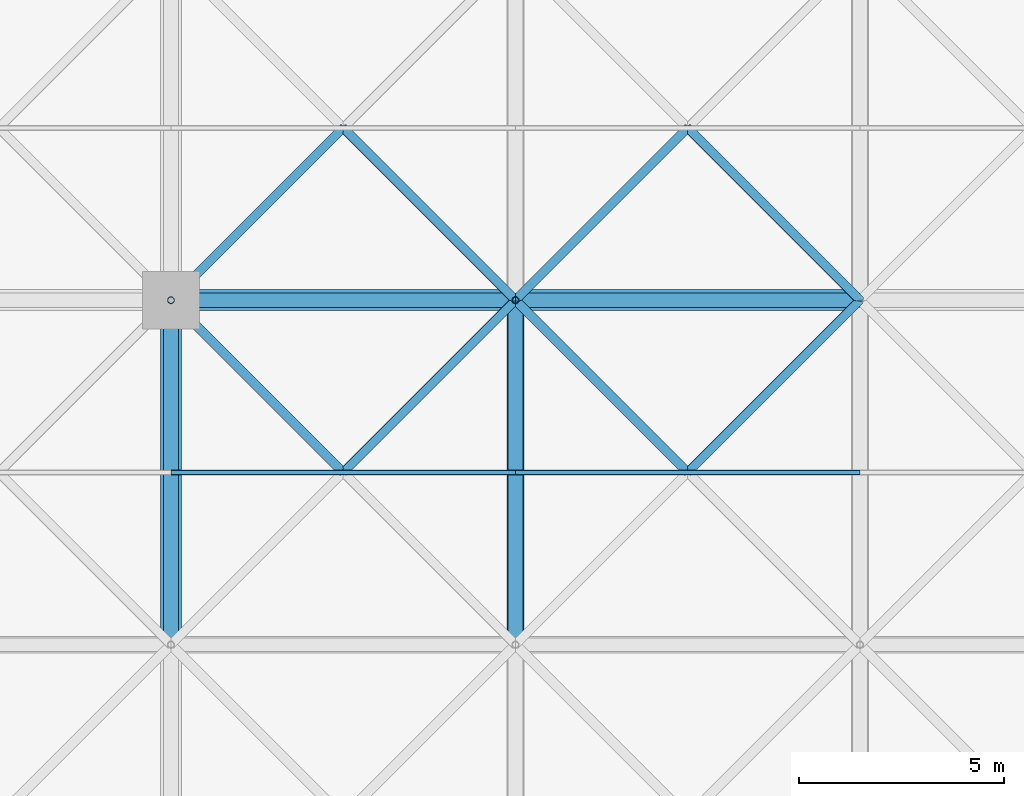
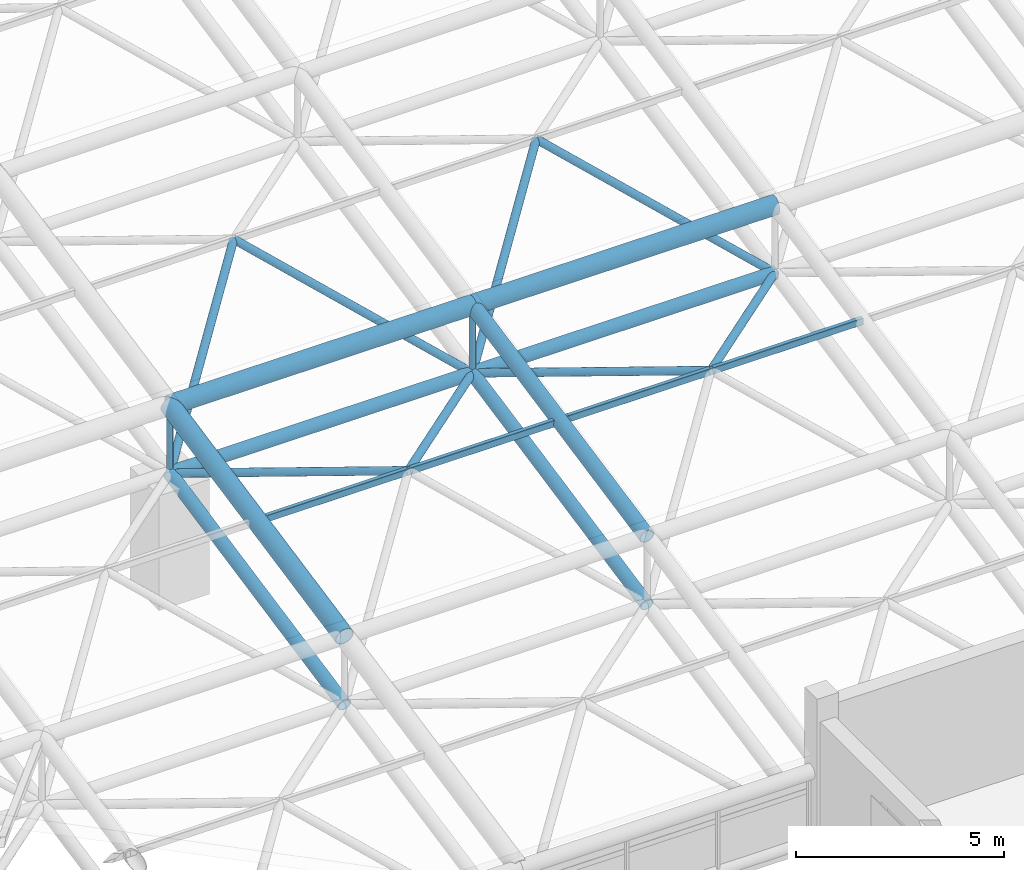
# One storey, part 8 of 81: 20 members.
"""IFC4 building model written with IfcOpenShell, lengths in metres."""

from ifc_helpers import new_model, si_unit, direction, frame, origin, origin_2d, place, context, subcontext, project, spatial, hollow_rectangle, hollow_circle, extrude, material, material_profile, profile_set, type_object, element, save


model = new_model("IFC4")

# Units and contexts
model_context = context("Model", 3, precision=1e-05, world=origin(), true_north=direction((0.0, 1.0)))
body_context = subcontext(model_context, "Body", "Model", "MODEL_VIEW")
ifc_project = project(units=[si_unit("LENGTHUNIT", "METRE"), si_unit("AREAUNIT", "SQUARE_METRE"), si_unit("VOLUMEUNIT", "CUBIC_METRE"), si_unit("PLANEANGLEUNIT", "RADIAN"), si_unit("MASSUNIT", "GRAM", prefix="KILO")], contexts=[model_context])

# Site, building, storey
site_placement = place(None, origin())
site = spatial("IfcSite", under=ifc_project, at=site_placement, CompositionType="ELEMENT")
building_placement = place(site_placement, origin())
building = spatial("IfcBuilding", under=site, at=building_placement, Name="Qawsi Khor Wholesale Market", CompositionType="ELEMENT")
storey_placement = place(building_placement, frame((0.0, 0.0, 16.199951171875)))
storey = spatial("IfcBuildingStorey", under=building, at=storey_placement, Name="L03", CompositionType="ELEMENT", Elevation=16.199951171875)

# Members
ifc_material = material(Name="Steel S355", Category="steel")
ifc_material_profile_1 = material_profile(ifc_material, hollow_circle(Radius=0.177734375, WallThickness=0.01611328125, at=origin_2d()), Name="CHS 355.6x16.0")
ifc_profile_set_1 = profile_set([ifc_material_profile_1], Name="Steel S355")
member_type_1 = type_object("IfcMemberType", Name="Space-Frame Bottom Chord CHS 355.6x16.0", PredefinedType="CHORD", material=ifc_profile_set_1)
member_1_placement = place(storey_placement, frame((16.800048828125, 50.39990234375, 1.670166015625), z_axis=(0.0, 0.98013111127, 0.198350711418), x_axis=(-1.0, 0.0, 0.0)))
element("IfcMember", 1, at=member_1_placement, inside=storey, type_object=member_type_1, Name="Space frame bottom chord Y WH (2,6)", PredefinedType="CHORD", context=body_context, shape_type="SweptSolid", body=[
    extrude(hollow_circle(Radius=0.177734375, WallThickness=0.01611328125, at=origin_2d()), origin(), (0.0, 0.0, 1.0), 8.5703125),
])
member_2_placement = place(storey_placement, frame((16.800048828125, 58.800048828125, 3.3701171875), z_axis=(1.0, 0.0, 0.0), x_axis=(0.0, 1.0, 0.0)))
element("IfcMember", 2, at=member_2_placement, inside=storey, type_object=member_type_1, Name="Space frame bottom chord X WH (2,7)", PredefinedType="CHORD", context=body_context, shape_type="SweptSolid", body=[
    extrude(hollow_circle(Radius=0.177734375, WallThickness=0.01611328125, at=origin_2d()), origin(), (0.0, 0.0, 1.0), 8.39990234375),
])
member_3_placement = place(storey_placement, frame((25.199951171875, 50.39990234375, 1.670166015625), z_axis=(0.0, 0.98013111127, 0.198350711418), x_axis=(-1.0, 0.0, 0.0)))
element("IfcMember", 3, at=member_3_placement, inside=storey, type_object=member_type_1, Name="Space frame bottom chord Y WH (3,6)", PredefinedType="CHORD", context=body_context, shape_type="SweptSolid", body=[
    extrude(hollow_circle(Radius=0.177734375, WallThickness=0.01611328125, at=origin_2d()), origin(), (0.0, 0.0, 1.0), 8.5703125),
])
member_4_placement = place(storey_placement, frame((25.199951171875, 58.800048828125, 3.3701171875), z_axis=(1.0, 0.0, 0.0), x_axis=(0.0, 1.0, 0.0)))
element("IfcMember", 4, at=member_4_placement, inside=storey, type_object=member_type_1, Name="Space frame bottom chord X WH (3,7)", PredefinedType="CHORD", context=body_context, shape_type="SweptSolid", body=[
    extrude(hollow_circle(Radius=0.177734375, WallThickness=0.01611328125, at=origin_2d()), origin(), (0.0, 0.0, 1.0), 8.400146484375),
])
ifc_material_profile_2 = material_profile(ifc_material, hollow_rectangle(XDim=0.1201171875, YDim=0.199951171875, WallThickness=0.008056640625, InnerFilletRadius=0.008056640625, OuterFilletRadius=0.01611328125, at=origin_2d()), Name="RHS 200x120x8.0")
ifc_profile_set_2 = profile_set([ifc_material_profile_2], Name="Steel S355")
member_type_2 = type_object("IfcMemberType", Name="Space-Frame Heavy Purlin RHS 200x120x8.0", PredefinedType="PURLIN", material=ifc_profile_set_2)
member_5_placement = place(storey_placement, frame((16.800048828125, 54.60009765625, 4.52001953125), z_axis=(1.0, 0.0, 0.0), x_axis=(0.0, 1.0, 0.0)))
element("IfcMember", 5, at=member_5_placement, inside=storey, type_object=member_type_2, Name="Space frame purlin WH (2,6)", PredefinedType="PURLIN", context=body_context, shape_type="SweptSolid", body=[
    extrude(hollow_rectangle(XDim=0.1201171875, YDim=0.199951171875, WallThickness=0.008056640625, InnerFilletRadius=0.008056640625, OuterFilletRadius=0.01611328125, at=origin_2d()), origin(), (0.0, 0.0, 1.0), 8.39990234375),
])
member_6_placement = place(storey_placement, frame((25.199951171875, 54.60009765625, 4.52001953125), z_axis=(1.0, 0.0, 0.0), x_axis=(0.0, 1.0, 0.0)))
element("IfcMember", 6, at=member_6_placement, inside=storey, type_object=member_type_2, Name="Space frame purlin WH (3,6)", PredefinedType="PURLIN", context=body_context, shape_type="SweptSolid", body=[
    extrude(hollow_rectangle(XDim=0.1201171875, YDim=0.199951171875, WallThickness=0.008056640625, InnerFilletRadius=0.008056640625, OuterFilletRadius=0.01611328125, at=origin_2d()), origin(), (0.0, 0.0, 1.0), 8.400146484375),
])
ifc_material_profile_3 = material_profile(ifc_material, hollow_circle(Radius=0.109619140625, WallThickness=0.010009765625, at=origin_2d()), Name="CHS 219.1x10.0")
ifc_profile_set_3 = profile_set([ifc_material_profile_3], Name="Steel S355")
member_type_3 = type_object("IfcMemberType", Name="Space-Frame Inner Diagonal CHS 219.1x10.0", PredefinedType="RAFTER", material=ifc_profile_set_3)
for number, where, z_axis, x_axis, name in (
    (7, (25.199951171875, 58.800048828125, 3.3701171875), (-0.694216714393, -0.694216714393, 0.190069216113), (0.707106781187, -0.707106781187, 0.0), "Space frame diagonal WH (2,6)-3"),
    (8, (16.800048828125, 58.800048828125, 3.3701171875), (0.694216714393, -0.694216714393, 0.190069216113), (0.707106781187, 0.707106781187, 0.0), "Space frame diagonal WH (2,6)-4"),
):
    element("IfcMember", number, at=place(storey_placement, frame(where, z_axis=z_axis, x_axis=x_axis)), inside=storey, type_object=member_type_3, Name=name, PredefinedType="RAFTER", context=body_context, shape_type="SweptSolid", body=[
        extrude(hollow_circle(Radius=0.109619140625, WallThickness=0.010009765625, at=origin_2d()), origin(), (0.0, 0.0, 1.0), 6.0498046875),
    ])
for number, where, z_axis, x_axis, name in (
    (9, (16.800048828125, 58.800048828125, 3.3701171875), (0.637521961484, 0.637521961484, 0.432586982294), (-0.707106781187, 0.707106781187, 0.0), "Space frame diagonal WH (2,7)-1"),
    (10, (25.199951171875, 58.800048828125, 3.3701171875), (-0.637521961484, 0.637521961484, 0.432586982294), (-0.707106781187, -0.707106781187, 0.0), "Space frame diagonal WH (2,7)-2"),
):
    element("IfcMember", number, at=place(storey_placement, frame(where, z_axis=z_axis, x_axis=x_axis)), inside=storey, type_object=member_type_3, Name=name, PredefinedType="RAFTER", context=body_context, shape_type="SweptSolid", body=[
        extrude(hollow_circle(Radius=0.109619140625, WallThickness=0.010009765625, at=origin_2d()), origin(), (0.0, 0.0, 1.0), 6.587890625),
    ])
member_7_placement = place(storey_placement, frame((33.60009765625, 58.800048828125, 3.3701171875), z_axis=(-0.694237619642, -0.694197266374, 0.19006389145), x_axis=(0.70708622964, -0.707127332136, 0.0)))
element("IfcMember", 11, at=member_7_placement, inside=storey, type_object=member_type_3, Name="Space frame diagonal WH (3,6)-3", PredefinedType="RAFTER", context=body_context, shape_type="SweptSolid", body=[
    extrude(hollow_circle(Radius=0.109619140625, WallThickness=0.010009765625, at=origin_2d()), origin(), (0.0, 0.0, 1.0), 6.050048828125),
])
member_8_placement = place(storey_placement, frame((25.199951171875, 58.800048828125, 3.3701171875), z_axis=(0.694216714393, -0.694216714393, 0.190069216113), x_axis=(0.707106781187, 0.707106781187, 0.0)))
element("IfcMember", 12, at=member_8_placement, inside=storey, type_object=member_type_3, Name="Space frame diagonal WH (3,6)-4", PredefinedType="RAFTER", context=body_context, shape_type="SweptSolid", body=[
    extrude(hollow_circle(Radius=0.109619140625, WallThickness=0.010009765625, at=origin_2d()), origin(), (0.0, 0.0, 1.0), 6.0498046875),
])
member_9_placement = place(storey_placement, frame((25.199951171875, 58.800048828125, 3.3701171875), z_axis=(0.637521961484, 0.637521961484, 0.432586982294), x_axis=(-0.707106781187, 0.707106781187, 0.0)))
element("IfcMember", 13, at=member_9_placement, inside=storey, type_object=member_type_3, Name="Space frame diagonal WH (3,7)-1", PredefinedType="RAFTER", context=body_context, shape_type="SweptSolid", body=[
    extrude(hollow_circle(Radius=0.109619140625, WallThickness=0.010009765625, at=origin_2d()), origin(), (0.0, 0.0, 1.0), 6.587890625),
])
member_10_placement = place(storey_placement, frame((33.60009765625, 58.800048828125, 3.3701171875), z_axis=(-0.637543957519, 0.637506899628, 0.432576762155), x_axis=(-0.70708622964, -0.707127332136, 0.0)))
element("IfcMember", 14, at=member_10_placement, inside=storey, type_object=member_type_3, Name="Space frame diagonal WH (3,7)-2", PredefinedType="RAFTER", context=body_context, shape_type="SweptSolid", body=[
    extrude(hollow_circle(Radius=0.109619140625, WallThickness=0.010009765625, at=origin_2d()), origin(), (0.0, 0.0, 1.0), 6.588134765625),
])
ifc_material_profile_4 = material_profile(ifc_material, hollow_circle(Radius=0.25390625, WallThickness=0.02490234375, at=origin_2d()), Name="CHS 508.0x25.0")
ifc_profile_set_4 = profile_set([ifc_material_profile_4], Name="Steel S355")
member_type_4 = type_object("IfcMemberType", Name="Space-Frame Main Chord CHS 508.0x25.0", PredefinedType="CHORD", material=ifc_profile_set_4)
member_11_placement = place(storey_placement, frame((16.800048828125, 50.39990234375, 3.670166015625), z_axis=(0.0, 0.98013111127, 0.198350711418), x_axis=(-1.0, 0.0, 0.0)))
element("IfcMember", 15, at=member_11_placement, inside=storey, type_object=member_type_4, Name="Space frame top chord Y WH (2,6)", PredefinedType="CHORD", context=body_context, shape_type="SweptSolid", body=[
    extrude(hollow_circle(Radius=0.25390625, WallThickness=0.02490234375, at=origin_2d()), origin(), (0.0, 0.0, 1.0), 8.5703125),
])
member_12_placement = place(storey_placement, frame((16.800048828125, 58.800048828125, 5.3701171875), z_axis=(1.0, 0.0, 0.0), x_axis=(0.0, 1.0, 0.0)))
element("IfcMember", 16, at=member_12_placement, inside=storey, type_object=member_type_4, Name="Space frame top chord X WH (2,7)", PredefinedType="CHORD", context=body_context, shape_type="SweptSolid", body=[
    extrude(hollow_circle(Radius=0.25390625, WallThickness=0.02490234375, at=origin_2d()), origin(), (0.0, 0.0, 1.0), 8.39990234375),
])
member_13_placement = place(storey_placement, frame((25.199951171875, 58.800048828125, 5.3701171875), z_axis=(1.0, 0.0, 0.0), x_axis=(0.0, 1.0, 0.0)))
element("IfcMember", 17, at=member_13_placement, inside=storey, type_object=member_type_4, Name="Space frame top chord X WH (3,7)", PredefinedType="CHORD", context=body_context, shape_type="SweptSolid", body=[
    extrude(hollow_circle(Radius=0.25390625, WallThickness=0.02490234375, at=origin_2d()), origin(), (0.0, 0.0, 1.0), 8.400146484375),
])
ifc_material_profile_5 = material_profile(ifc_material, hollow_circle(Radius=0.203125, WallThickness=0.02001953125, at=origin_2d()), Name="CHS 406.4x20.0")
ifc_profile_set_5 = profile_set([ifc_material_profile_5], Name="Steel S355")
member_type_5 = type_object("IfcMemberType", Name="Space-Frame Top Chord CHS 406.4x20.0", PredefinedType="CHORD", material=ifc_profile_set_5)
member_14_placement = place(storey_placement, frame((25.199951171875, 50.39990234375, 3.670166015625), z_axis=(0.0, 0.98013111127, 0.198350711418), x_axis=(-1.0, 0.0, 0.0)))
element("IfcMember", 18, at=member_14_placement, inside=storey, type_object=member_type_5, Name="Space frame top chord Y WH (3,6)", PredefinedType="CHORD", context=body_context, shape_type="SweptSolid", body=[
    extrude(hollow_circle(Radius=0.203125, WallThickness=0.02001953125, at=origin_2d()), origin(), (0.0, 0.0, 1.0), 8.5703125),
])
ifc_material_profile_6 = material_profile(ifc_material, hollow_circle(Radius=0.084228515625, WallThickness=0.008056640625, at=origin_2d()), Name="CHS 168.3x8.0")
ifc_profile_set_6 = profile_set([ifc_material_profile_6], Name="Steel S355")
member_type_6 = type_object("IfcMemberType", Name="Space-Frame Vertical Strut CHS 168.3x8.0", PredefinedType="STRUT", material=ifc_profile_set_6)
for number, where, z_axis, x_axis, name in (
    (19, (16.800048828125, 58.800048828125, 3.3701171875), (0.0, 0.0, 1.0), (1.0, 0.0, 0.0), "Space frame post WH (2,7)"),
    (20, (25.199951171875, 58.800048828125, 3.3701171875), (0.0, 0.0, 1.0), (1.0, 0.0, 0.0), "Space frame post WH (3,7)"),
):
    element("IfcMember", number, at=place(storey_placement, frame(where, z_axis=z_axis, x_axis=x_axis)), inside=storey, type_object=member_type_6, Name=name, PredefinedType="STRUT", context=body_context, shape_type="SweptSolid", body=[
        extrude(hollow_circle(Radius=0.084228515625, WallThickness=0.008056640625, at=origin_2d()), origin(), (0.0, 0.0, 1.0), 2.0),
    ])

save(model, "model.ifc")
